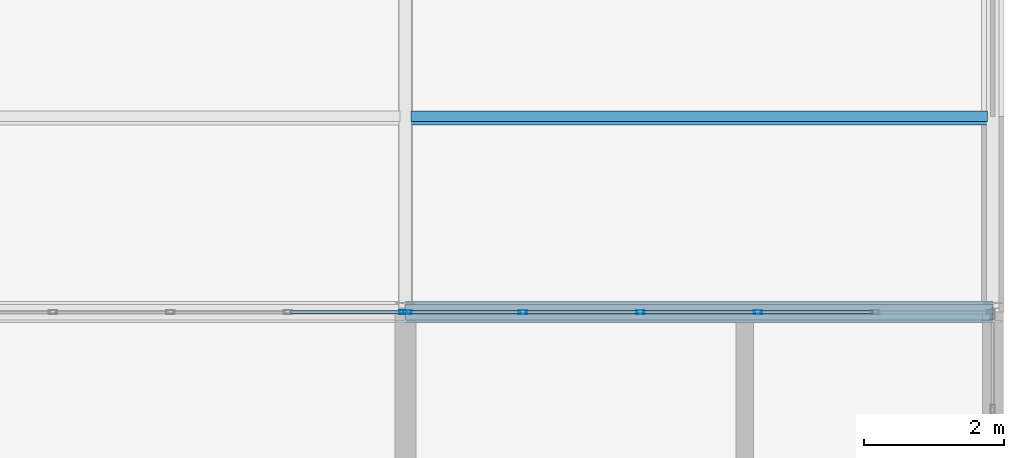
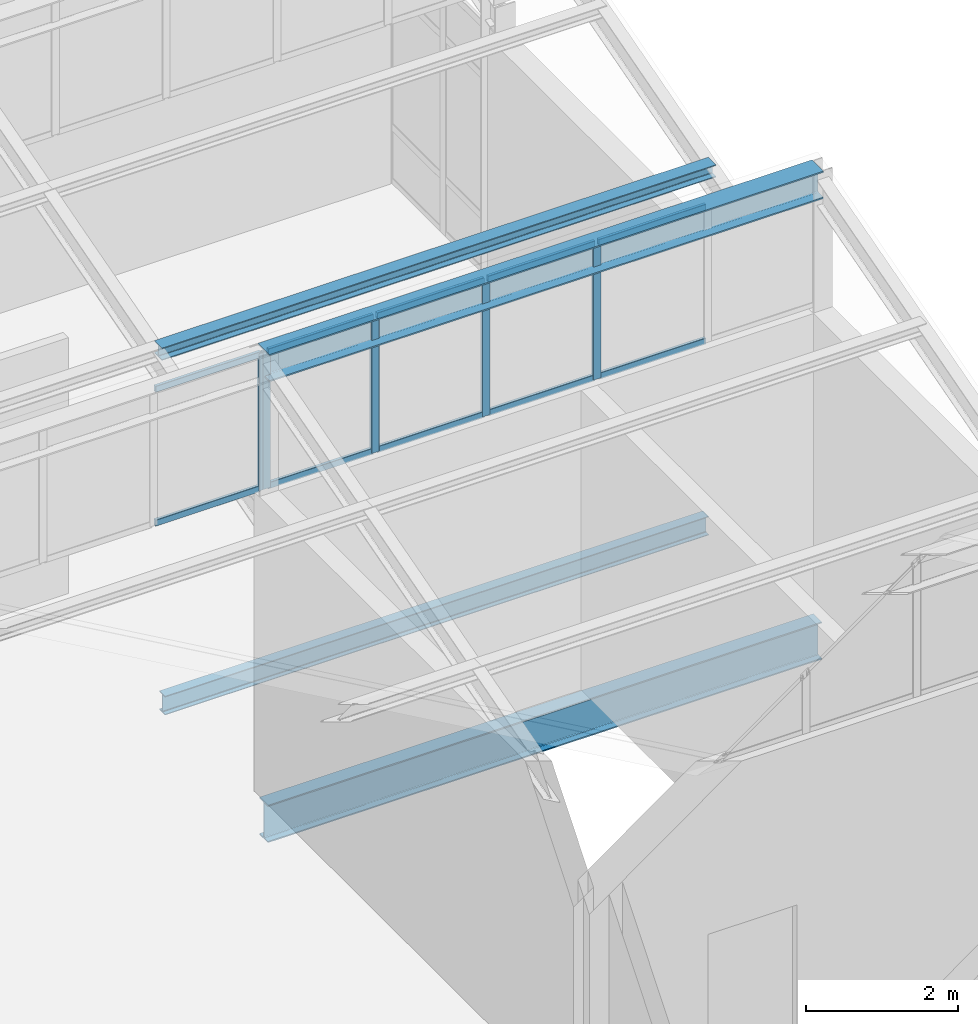
# One storey, part 34 of 53: 16 members, 3 beams, 2 elements without a shape of their own.
"""IFC4 building model written with IfcOpenShell, lengths in metres."""

from ifc_helpers import new_model, si_unit, direction, frame, origin, origin_2d, place, context, subcontext, project, spatial, hollow_rectangle, i_section, extrude, material, layer, layer_set, material_profile, profile_set, type_object, element, aggregate, save


model = new_model("IFC4")

# Units and contexts
model_context = context("Model", 3, precision=1e-05, world=origin(), true_north=direction((0.0, 1.0)))
body_context = subcontext(model_context, "Body", "Model", "MODEL_VIEW")
ifc_project = project(units=[si_unit("LENGTHUNIT", "METRE"), si_unit("AREAUNIT", "SQUARE_METRE"), si_unit("VOLUMEUNIT", "CUBIC_METRE"), si_unit("PLANEANGLEUNIT", "RADIAN"), si_unit("MASSUNIT", "GRAM", prefix="KILO")], contexts=[model_context])

# Site, building, storey
site_placement = place(None, origin())
site = spatial("IfcSite", under=ifc_project, at=site_placement, CompositionType="ELEMENT")
building_placement = place(site_placement, origin())
building = spatial("IfcBuilding", under=site, at=building_placement, Name="Qalvenar Corner Mobility Hub", CompositionType="ELEMENT")
storey_placement = place(building_placement, frame((0.0, 0.0, 26.39990234375)))
storey = spatial("IfcBuildingStorey", under=building, at=storey_placement, Name="L06", CompositionType="ELEMENT", Elevation=26.39990234375)

# Beams
ifc_material_1 = material(Name="Steel S355", Category="steel")
ifc_material_profile_1 = material_profile(ifc_material_1, i_section(OverallWidth=0.300048828125, OverallDepth=0.43994140625, WebThickness=0.011474609375, FlangeThickness=0.02099609375, FilletRadius=0.027099609375, at=origin_2d()), Name="HEA450")
ifc_profile_set_1 = profile_set([ifc_material_profile_1], Name="Steel S355")
beam_type_1 = type_object("IfcBeamType", Name="BM-HEA450", PredefinedType="BEAM", material=ifc_profile_set_1)
beam_1_placement = place(storey_placement, frame((33.60009765625, 16.800048828125, 6.81005859375), z_axis=(1.0, 0.0, 0.0), x_axis=(0.0, 1.0, 0.0)))
element("IfcBeam", 1, at=beam_1_placement, inside=storey, type_object=beam_type_1, Name="Sawtooth Ridge Girder V3RDG-2-5", PredefinedType="BEAM", context=body_context, shape_type="SweptSolid", body=[
    extrude(i_section(OverallWidth=0.300048828125, OverallDepth=0.43994140625, WebThickness=0.011474609375, FlangeThickness=0.02099609375, FilletRadius=0.027099609375, at=origin_2d()), origin(), (0.0, 0.0, 1.0), 8.39990234375),
])
ifc_material_profile_2 = material_profile(ifc_material_1, i_section(OverallWidth=0.219970703125, OverallDepth=0.60009765625, WebThickness=0.011962890625, FlangeThickness=0.01904296875, FilletRadius=0.02392578125, at=origin_2d()), Name="IPE600")
ifc_profile_set_2 = profile_set([ifc_material_profile_2], Name="Steel S355")
beam_type_2 = type_object("IfcBeamType", Name="BM-IPE600", PredefinedType="BEAM", material=ifc_profile_set_2)
beam_2_placement = place(storey_placement, frame((33.60009765625, 16.800048828125, -0.52001953125), z_axis=(1.0, 0.0, 0.0), x_axis=(0.0, 1.0, 0.0)))
element("IfcBeam", 2, at=beam_2_placement, inside=storey, type_object=beam_type_2, Name="Primary Steel Girder GX-3066", PredefinedType="BEAM", context=body_context, shape_type="SweptSolid", body=[
    extrude(i_section(OverallWidth=0.219970703125, OverallDepth=0.60009765625, WebThickness=0.011962890625, FlangeThickness=0.01904296875, FilletRadius=0.02392578125, at=origin_2d()), origin(), (0.0, 0.0, 1.0), 8.39990234375),
])
ifc_material_profile_3 = material_profile(ifc_material_1, i_section(OverallWidth=0.14990234375, OverallDepth=0.300048828125, WebThickness=0.007080078125, FlangeThickness=0.0107421875, FilletRadius=0.014892578125, at=origin_2d()), Name="IPE300")
ifc_profile_set_3 = profile_set([ifc_material_profile_3], Name="Steel S355")
beam_type_3 = type_object("IfcBeamType", Name="BM-JST300", PredefinedType="JOIST", material=ifc_profile_set_3)
beam_3_placement = place(storey_placement, frame((33.677978515625, 19.60009765625, -0.369873046875), z_axis=(1.0, 0.0, 0.0), x_axis=(0.0, 1.0, 0.0)))
element("IfcBeam", 3, at=beam_3_placement, inside=storey, type_object=beam_type_3, Name="Composite Floor Joist J-3134", PredefinedType="JOIST", context=body_context, shape_type="SweptSolid", body=[
    extrude(i_section(OverallWidth=0.14990234375, OverallDepth=0.300048828125, WebThickness=0.007080078125, FlangeThickness=0.0107421875, FilletRadius=0.014892578125, at=origin_2d()), origin(), (0.0, 0.0, 1.0), 8.244140625),
])

# Curtain wall, member
ifc_material_2 = material(Name="Anodised Aluminium and Low-E Glazing", Category="aluminium")
ifc_layer = layer(ifc_material_2, 0.1201171875)
ifc_layer_set = layer_set([ifc_layer], Name="Anodised Aluminium and Low-E Glazing")
curtain_wall_type = type_object("IfcCurtainWallType", Name="CW-CLR-84X24", PredefinedType="NOTDEFINED", material=ifc_layer_set)
curtain_wall_1_placement = place(storey_placement, origin())
curtain_wall_1 = element("IfcCurtainWall", 4, at=curtain_wall_1_placement, inside=storey, type_object=curtain_wall_type, Name="Glazed Curtain Wall CW-V3-SAW-2-3", PredefinedType="NOTDEFINED")
ifc_material_3 = material(Name="Anodised Aluminium 6063-T6", Category="aluminium")
ifc_material_profile_4 = material_profile(ifc_material_3, hollow_rectangle(XDim=0.054931640625, YDim=0.1201171875, WallThickness=0.00341796875, InnerFilletRadius=0.00341796875, OuterFilletRadius=0.007080078125, at=origin_2d()), Name="RHS120x55x3.5")
ifc_profile_set_4 = profile_set([ifc_material_profile_4], Name="Anodised Aluminium 6063-T6")
member_type_1 = type_object("IfcMemberType", Name="CW-MUL120", PredefinedType="MULLION", material=ifc_profile_set_4)
member_1_placement = place(storey_placement, frame((33.570068359375, 16.800048828125, 4.800048828125), z_axis=(0.0, 0.0, 1.0), x_axis=(0.0, -1.0, 0.0)))
member_1 = element("IfcMember", 5, at=member_1_placement, type_object=member_type_1, Name="CW-12 mullion 1", PredefinedType="MULLION", context=body_context, shape_type="SweptSolid", body=[
    extrude(hollow_rectangle(XDim=0.054931640625, YDim=0.1201171875, WallThickness=0.00341796875, InnerFilletRadius=0.00341796875, OuterFilletRadius=0.007080078125, at=origin_2d()), origin(), (0.0, 0.0, 1.0), 2.199951171875),
])

# Curtain wall, members
curtain_wall_2_placement = place(storey_placement, origin())
curtain_wall_2 = element("IfcCurtainWall", 6, at=curtain_wall_2_placement, inside=storey, type_object=curtain_wall_type, Name="Glazed Curtain Wall CW-V3-SAW-2-4", PredefinedType="NOTDEFINED")
member_2_placement = place(storey_placement, frame((38.639892578125, 16.800048828125, 4.800048828125), z_axis=(0.0, 0.0, 1.0), x_axis=(0.0, -1.0, 0.0)))
member_2 = element("IfcMember", 7, at=member_2_placement, type_object=member_type_1, Name="CW-12 mullion 3", PredefinedType="MULLION", context=body_context, shape_type="SweptSolid", body=[
    extrude(hollow_rectangle(XDim=0.054931640625, YDim=0.1201171875, WallThickness=0.00341796875, InnerFilletRadius=0.00341796875, OuterFilletRadius=0.007080078125, at=origin_2d()), origin(), (0.0, 0.0, 1.0), 2.199951171875),
])
member_3_placement = place(storey_placement, frame((36.9599609375, 16.800048828125, 4.800048828125), z_axis=(0.0, 0.0, 1.0), x_axis=(0.0, -1.0, 0.0)))
member_3 = element("IfcMember", 8, at=member_3_placement, type_object=member_type_1, Name="CW-12 mullion 4", PredefinedType="MULLION", context=body_context, shape_type="SweptSolid", body=[
    extrude(hollow_rectangle(XDim=0.054931640625, YDim=0.1201171875, WallThickness=0.00341796875, InnerFilletRadius=0.00341796875, OuterFilletRadius=0.007080078125, at=origin_2d()), origin(), (0.0, 0.0, 1.0), 2.199951171875),
])
member_4_placement = place(storey_placement, frame((35.280029296875, 16.800048828125, 4.800048828125), z_axis=(0.0, 0.0, 1.0), x_axis=(0.0, -1.0, 0.0)))
member_4 = element("IfcMember", 9, at=member_4_placement, type_object=member_type_1, Name="CW-12 mullion 5", PredefinedType="MULLION", context=body_context, shape_type="SweptSolid", body=[
    extrude(hollow_rectangle(XDim=0.054931640625, YDim=0.1201171875, WallThickness=0.00341796875, InnerFilletRadius=0.00341796875, OuterFilletRadius=0.007080078125, at=origin_2d()), origin(), (0.0, 0.0, 1.0), 2.199951171875),
])
member_5_placement = place(storey_placement, frame((33.6298828125, 16.800048828125, 4.800048828125), z_axis=(0.0, 0.0, 1.0), x_axis=(0.0, -1.0, 0.0)))
member_5 = element("IfcMember", 10, at=member_5_placement, type_object=member_type_1, Name="CW-12 mullion 6", PredefinedType="MULLION", context=body_context, shape_type="SweptSolid", body=[
    extrude(hollow_rectangle(XDim=0.054931640625, YDim=0.1201171875, WallThickness=0.00341796875, InnerFilletRadius=0.00341796875, OuterFilletRadius=0.007080078125, at=origin_2d()), origin(), (0.0, 0.0, 1.0), 2.199951171875),
])

# Member
ifc_material_profile_5 = material_profile(ifc_material_3, hollow_rectangle(XDim=0.050048828125, YDim=0.10009765625, WallThickness=0.0029296875, InnerFilletRadius=0.0029296875, OuterFilletRadius=0.006103515625, at=origin_2d()), Name="RHS100x50x3")
ifc_profile_set_5 = profile_set([ifc_material_profile_5], Name="Anodised Aluminium 6063-T6")
member_type_2 = type_object("IfcMemberType", Name="CW-TRN100", PredefinedType="USERDEFINED", material=ifc_profile_set_5)
member_6_placement = place(storey_placement, frame((33.5400390625, 16.800048828125, 4.82763671875), z_axis=(-1.0, 0.0, 0.0), x_axis=(0.0, -1.0, 0.0)))
member_6 = element("IfcMember", 11, at=member_6_placement, type_object=member_type_2, Name="CW-12 transom 1.1", ObjectType="TRANSOM", PredefinedType="USERDEFINED", context=body_context, shape_type="SweptSolid", body=[
    extrude(hollow_rectangle(XDim=0.050048828125, YDim=0.10009765625, WallThickness=0.0029296875, InnerFilletRadius=0.0029296875, OuterFilletRadius=0.006103515625, at=origin_2d()), origin(), (0.0, 0.0, 1.0), 1.590087890625),
])

member_7_placement = place(storey_placement, frame((33.5400390625, 16.800048828125, 6.97265625), z_axis=(-1.0, 0.0, 0.0), x_axis=(0.0, -1.0, 0.0)))
member_7 = element("IfcMember", 12, at=member_7_placement, type_object=member_type_2, Name="CW-12 transom 1.2", ObjectType="TRANSOM", PredefinedType="USERDEFINED", context=body_context, shape_type="SweptSolid", body=[
    extrude(hollow_rectangle(XDim=0.050048828125, YDim=0.10009765625, WallThickness=0.0029296875, InnerFilletRadius=0.0029296875, OuterFilletRadius=0.006103515625, at=origin_2d()), origin(), (0.0, 0.0, 1.0), 1.590087890625),
])

aggregate(curtain_wall_1, [member_1, member_6, member_7])

member_8_placement = place(storey_placement, frame((40.2900390625, 16.800048828125, 4.82763671875), z_axis=(-1.0, 0.0, 0.0), x_axis=(0.0, -1.0, 0.0)))
member_8 = element("IfcMember", 13, at=member_8_placement, type_object=member_type_2, Name="CW-12 transom 2.1", ObjectType="TRANSOM", PredefinedType="USERDEFINED", context=body_context, shape_type="SweptSolid", body=[
    extrude(hollow_rectangle(XDim=0.050048828125, YDim=0.10009765625, WallThickness=0.0029296875, InnerFilletRadius=0.0029296875, OuterFilletRadius=0.006103515625, at=origin_2d()), origin(), (0.0, 0.0, 1.0), 1.6201171875),
])

member_9_placement = place(storey_placement, frame((40.2900390625, 16.800048828125, 6.97265625), z_axis=(-1.0, 0.0, 0.0), x_axis=(0.0, -1.0, 0.0)))
member_9 = element("IfcMember", 14, at=member_9_placement, type_object=member_type_2, Name="CW-12 transom 2.2", ObjectType="TRANSOM", PredefinedType="USERDEFINED", context=body_context, shape_type="SweptSolid", body=[
    extrude(hollow_rectangle(XDim=0.050048828125, YDim=0.10009765625, WallThickness=0.0029296875, InnerFilletRadius=0.0029296875, OuterFilletRadius=0.006103515625, at=origin_2d()), origin(), (0.0, 0.0, 1.0), 1.6201171875),
])

member_10_placement = place(storey_placement, frame((38.610107421875, 16.800048828125, 4.82763671875), z_axis=(-1.0, 0.0, 0.0), x_axis=(0.0, -1.0, 0.0)))
member_10 = element("IfcMember", 15, at=member_10_placement, type_object=member_type_2, Name="CW-12 transom 3.1", ObjectType="TRANSOM", PredefinedType="USERDEFINED", context=body_context, shape_type="SweptSolid", body=[
    extrude(hollow_rectangle(XDim=0.050048828125, YDim=0.10009765625, WallThickness=0.0029296875, InnerFilletRadius=0.0029296875, OuterFilletRadius=0.006103515625, at=origin_2d()), origin(), (0.0, 0.0, 1.0), 1.6201171875),
])

member_11_placement = place(storey_placement, frame((38.610107421875, 16.800048828125, 6.97265625), z_axis=(-1.0, 0.0, 0.0), x_axis=(0.0, -1.0, 0.0)))
member_11 = element("IfcMember", 16, at=member_11_placement, type_object=member_type_2, Name="CW-12 transom 3.2", ObjectType="TRANSOM", PredefinedType="USERDEFINED", context=body_context, shape_type="SweptSolid", body=[
    extrude(hollow_rectangle(XDim=0.050048828125, YDim=0.10009765625, WallThickness=0.0029296875, InnerFilletRadius=0.0029296875, OuterFilletRadius=0.006103515625, at=origin_2d()), origin(), (0.0, 0.0, 1.0), 1.6201171875),
])

member_12_placement = place(storey_placement, frame((36.929931640625, 16.800048828125, 4.82763671875), z_axis=(-1.0, 0.0, 0.0), x_axis=(0.0, -1.0, 0.0)))
member_12 = element("IfcMember", 17, at=member_12_placement, type_object=member_type_2, Name="CW-12 transom 4.1", ObjectType="TRANSOM", PredefinedType="USERDEFINED", context=body_context, shape_type="SweptSolid", body=[
    extrude(hollow_rectangle(XDim=0.050048828125, YDim=0.10009765625, WallThickness=0.0029296875, InnerFilletRadius=0.0029296875, OuterFilletRadius=0.006103515625, at=origin_2d()), origin(), (0.0, 0.0, 1.0), 1.619873046875),
])

member_13_placement = place(storey_placement, frame((36.929931640625, 16.800048828125, 6.97265625), z_axis=(-1.0, 0.0, 0.0), x_axis=(0.0, -1.0, 0.0)))
member_13 = element("IfcMember", 18, at=member_13_placement, type_object=member_type_2, Name="CW-12 transom 4.2", ObjectType="TRANSOM", PredefinedType="USERDEFINED", context=body_context, shape_type="SweptSolid", body=[
    extrude(hollow_rectangle(XDim=0.050048828125, YDim=0.10009765625, WallThickness=0.0029296875, InnerFilletRadius=0.0029296875, OuterFilletRadius=0.006103515625, at=origin_2d()), origin(), (0.0, 0.0, 1.0), 1.619873046875),
])

member_14_placement = place(storey_placement, frame((35.25, 16.800048828125, 4.82763671875), z_axis=(-1.0, 0.0, 0.0), x_axis=(0.0, -1.0, 0.0)))
member_14 = element("IfcMember", 19, at=member_14_placement, type_object=member_type_2, Name="CW-12 transom 5.1", ObjectType="TRANSOM", PredefinedType="USERDEFINED", context=body_context, shape_type="SweptSolid", body=[
    extrude(hollow_rectangle(XDim=0.050048828125, YDim=0.10009765625, WallThickness=0.0029296875, InnerFilletRadius=0.0029296875, OuterFilletRadius=0.006103515625, at=origin_2d()), origin(), (0.0, 0.0, 1.0), 1.590087890625),
])

member_15_placement = place(storey_placement, frame((35.25, 16.800048828125, 6.97265625), z_axis=(-1.0, 0.0, 0.0), x_axis=(0.0, -1.0, 0.0)))
member_15 = element("IfcMember", 20, at=member_15_placement, type_object=member_type_2, Name="CW-12 transom 5.2", ObjectType="TRANSOM", PredefinedType="USERDEFINED", context=body_context, shape_type="SweptSolid", body=[
    extrude(hollow_rectangle(XDim=0.050048828125, YDim=0.10009765625, WallThickness=0.0029296875, InnerFilletRadius=0.0029296875, OuterFilletRadius=0.006103515625, at=origin_2d()), origin(), (0.0, 0.0, 1.0), 1.590087890625),
])

aggregate(curtain_wall_2, [member_2, member_3, member_4, member_5, member_8, member_9, member_10, member_11, member_12, member_13, member_14, member_15])

ifc_material_profile_6 = material_profile(ifc_material_1, i_section(OverallWidth=0.199951171875, OverallDepth=0.199951171875, WebThickness=0.009033203125, FlangeThickness=0.014892578125, FilletRadius=0.01806640625, at=origin_2d()), Name="HEB200")
ifc_profile_set_6 = profile_set([ifc_material_profile_6], Name="Steel S355")
member_type_3 = type_object("IfcMemberType", Name="PR-RHS200", PredefinedType="PURLIN", material=ifc_profile_set_6)
member_16_placement = place(storey_placement, frame((33.60009765625, 19.572021484375, 5.322021484375), z_axis=(1.0, 0.0, 0.0), x_axis=(0.0, 1.0, 0.0)))
element("IfcMember", 21, at=member_16_placement, inside=storey, type_object=member_type_3, Name="Sawtooth Roof Purlin PR-V3-3-5-33", PredefinedType="PURLIN", context=body_context, shape_type="SweptSolid", body=[
    extrude(i_section(OverallWidth=0.199951171875, OverallDepth=0.199951171875, WebThickness=0.009033203125, FlangeThickness=0.014892578125, FilletRadius=0.01806640625, at=origin_2d()), origin(), (0.0, 0.0, 1.0), 8.39990234375),
])

save(model, "model.ifc")
